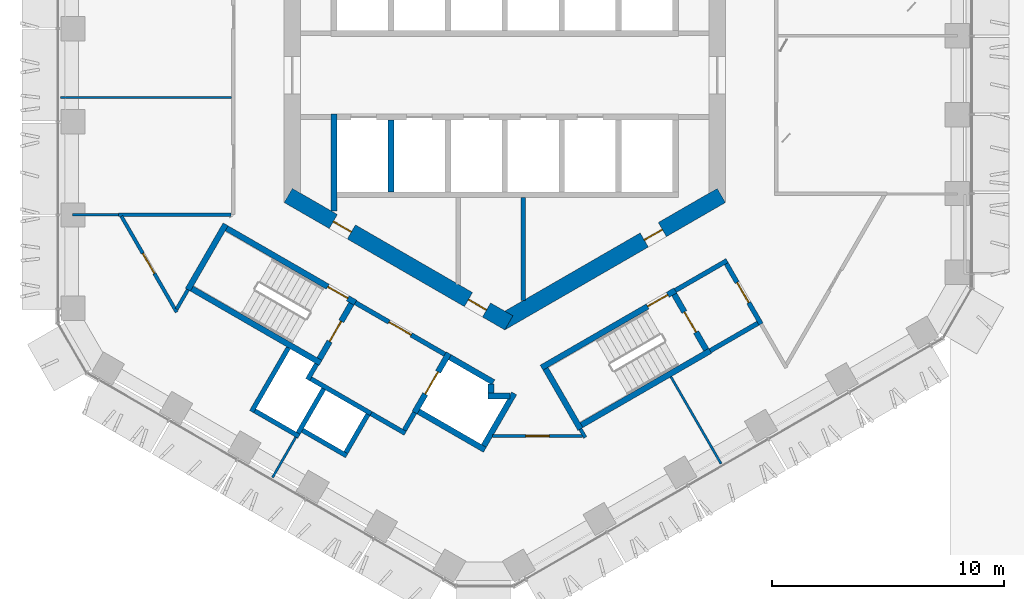
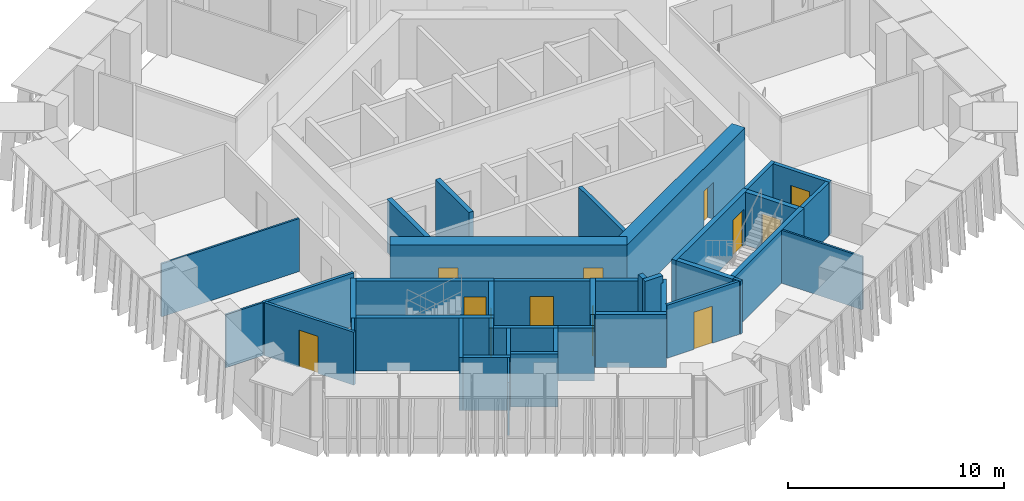
# One storey, part 14 of 25: 41 walls, 12 doors, 12 openings.
"""IFC4 building model written with IfcOpenShell, lengths in metres."""

import ifcopenshell
import ifcopenshell.guid

model = None  # the IFC model being written
_history = None  # IfcOwnerHistory: only IFC2X3 demands one
_inside = {}  # id of a spatial element -> (the spatial element, [elements in it])
_under = {}  # id of a project, library or spatial element -> (it, [spatial elements below it])
_declared = {}  # id of a project -> (the project, [libraries it declares])
_typed = {}  # id of a type object -> (the type object, [elements of that type])
_made_of = {}  # id of a material, layer set ... -> (it, [elements and type objects made of it])


def new_model(schema):
    """Start an empty IFC model of exactly this schema.

    Asked for "IFC4X3", IfcOpenShell would pick the latest addendum, in which some entities
    have other attributes; the version numbers below select the first issue.
    IFC2X3 requires an IfcOwnerHistory on every rooted entity: one is made here for all.
    """
    global model, _history
    if schema == "IFC4X3":
        model = ifcopenshell.file(schema_version=(4, 3, 0, 0))
    else:
        model = ifcopenshell.file(schema=schema)
    _inside.clear()
    _under.clear()
    _declared.clear()
    _typed.clear()
    _made_of.clear()
    _history = None
    if model.schema == "IFC2X3":
        org = make("IfcOrganization", Name="unknown")
        user = make(
            "IfcPersonAndOrganization",
            ThePerson=make("IfcPerson", FamilyName="unknown"),
            TheOrganization=org,
        )
        app = make(
            "IfcApplication",
            ApplicationDeveloper=org,
            Version="unknown",
            ApplicationFullName="unknown",
            ApplicationIdentifier="unknown",
        )
        _history = make(
            "IfcOwnerHistory",
            OwningUser=user,
            OwningApplication=app,
            ChangeAction="ADDED",
            CreationDate=0,
        )
    return model


def make(cls, **values):
    """One entity of the class cls with the attributes given. An attribute that is None is left unset."""
    return model.create_entity(
        cls, **{name: value for name, value in values.items() if value is not None}
    )


def rooted(cls, **values):
    """An entity with a GlobalId (a new one), such as an element, a storey or a relation."""
    return make(cls, GlobalId=ifcopenshell.guid.new(), OwnerHistory=_history, **values)


def si_unit(unit_type, name, prefix=None):
    """IfcSIUnit, for example si_unit("LENGTHUNIT", "METRE", prefix="MILLI")."""
    return make("IfcSIUnit", UnitType=unit_type, Prefix=prefix, Name=name)


def assignment(units):
    """IfcUnitAssignment: the units of a project."""
    return None if units is None else make("IfcUnitAssignment", Units=units)


def point(xyz):
    """IfcCartesianPoint."""
    return None if xyz is None else make("IfcCartesianPoint", Coordinates=xyz)


def direction(xyz):
    """IfcDirection."""
    return None if xyz is None else make("IfcDirection", DirectionRatios=xyz)


def frame(location, z_axis=None, x_axis=None):
    """IfcAxis2Placement3D, a coordinate frame: its origin and axes. An axis left out is left unset."""
    return make(
        "IfcAxis2Placement3D",
        Location=point(location),
        Axis=direction(z_axis),
        RefDirection=direction(x_axis),
    )


def frame_2d(location, x_axis=None):
    """IfcAxis2Placement2D, a coordinate frame in the plane: its origin and x axis."""
    return make(
        "IfcAxis2Placement2D", Location=point(location), RefDirection=direction(x_axis)
    )


def origin():
    """The frame at (0, 0, 0) with its axes left unset."""
    return frame((0.0, 0.0, 0.0))


def place(relative_to, where):
    """IfcLocalPlacement: puts the frame where relative to a parent placement (None: the world)."""
    return make(
        "IfcLocalPlacement", PlacementRelTo=relative_to, RelativePlacement=where
    )


def context(
    kind, dimensions, precision=None, world=None, true_north=None, identifier=None
):
    """IfcGeometricRepresentationContext, for example the 3D "Model" context."""
    return make(
        "IfcGeometricRepresentationContext",
        ContextIdentifier=identifier,
        ContextType=kind,
        CoordinateSpaceDimension=dimensions,
        Precision=precision,
        WorldCoordinateSystem=world,
        TrueNorth=true_north,
    )


def subcontext(parent, identifier, kind, view, scale=None):
    """IfcGeometricRepresentationSubContext, for example "Body" below "Model"."""
    return make(
        "IfcGeometricRepresentationSubContext",
        ContextIdentifier=identifier,
        ContextType=kind,
        ParentContext=parent,
        TargetScale=scale,
        TargetView=view,
    )


def project(units=None, contexts=None):
    """IfcProject with its units and contexts."""
    return rooted(
        "IfcProject",
        Name="project",
        RepresentationContexts=contexts,
        UnitsInContext=assignment(units),
    )


def spatial(cls, under=None, at=None, **own):
    """A site, building, storey or space (cls), placed at a placement, below another one or the project."""
    s = rooted(cls, ObjectPlacement=at, **own)
    if under is not None:
        _under.setdefault(under.id(), (under, []))[1].append(s)
    return s


def profile(cls, at=None, kind="AREA", **sizes):
    """A parametric profile (cls). Its sizes go by their IFC names, for example OverallWidth=200.0."""
    return make(cls, ProfileType=kind, Position=at, **sizes)


def rectangle(**sizes):
    """IfcRectangleProfileDef."""
    return profile("IfcRectangleProfileDef", **sizes)


def extrude(swept, where, along, depth):
    """IfcExtrudedAreaSolid: the profile swept, set in the frame where, extruded along a direction by depth."""
    return make(
        "IfcExtrudedAreaSolid",
        SweptArea=swept,
        Position=where,
        ExtrudedDirection=direction(along),
        Depth=depth,
    )


def shape(context_of_items, identifier, shape_type, items):
    """IfcShapeRepresentation: the items that make up one representation, for example the "Body"."""
    return make(
        "IfcShapeRepresentation",
        ContextOfItems=context_of_items,
        RepresentationIdentifier=identifier,
        RepresentationType=shape_type,
        Items=items,
    )


def material(Name=None, Category=None):
    """IfcMaterial."""
    return make("IfcMaterial", Name=Name, Category=Category)


def layer(
    of_material, thickness, ventilated=None, Name=None, Category=None, Priority=None
):
    """IfcMaterialLayer: one layer of a wall or slab, of a material (None: an air gap)."""
    return make(
        "IfcMaterialLayer",
        Material=of_material,
        LayerThickness=thickness,
        IsVentilated=ventilated,
        Name=Name,
        Category=Category,
        Priority=Priority,
    )


def layer_set(layers, Name=None):
    """IfcMaterialLayerSet."""
    return make("IfcMaterialLayerSet", MaterialLayers=layers, LayerSetName=Name)


def made_of(thing, what):
    """Note that an element or type object is made of a material, layer set ...; save() writes the relation."""
    if what is not None:
        _made_of.setdefault(what.id(), (what, []))[1].append(thing)
    return thing


def type_object(cls, material=None, **own):
    """A type object (cls), such as IfcWallType, which elements share."""
    return made_of(rooted(cls, **own), material)


def element(
    cls,
    number,
    at=None,
    inside=None,
    cuts=None,
    type_object=None,
    material=None,
    context=None,
    identifier="Body",
    shape_type=None,
    held_by="IfcProductDefinitionShape",
    body=None,
    shapes=None,
    **own,
):
    """One element of the class cls, such as IfcWall. Its Tag is "e" and its number.

    at: its placement. inside: the storey or other place that contains it. cuts: it is an
    opening in that element (IfcRelVoidsElement). A single representation is given by context,
    identifier, shape_type and body (its items); several are given by shapes. held_by: the class
    of the entity that holds the representations. save() writes the other relations.
    """
    e = rooted(cls, Tag="e%d" % number, ObjectPlacement=at, **own)
    if body is not None:
        shapes = [shape(context, identifier, shape_type, body)]
    if shapes is not None:
        e.Representation = make(held_by, Representations=shapes)
    if inside is not None:
        _inside.setdefault(inside.id(), (inside, []))[1].append(e)
    if cuts is not None:
        rooted(
            "IfcRelVoidsElement", RelatingBuildingElement=cuts, RelatedOpeningElement=e
        )
    if type_object is not None:
        _typed.setdefault(type_object.id(), (type_object, []))[1].append(e)
    return made_of(e, material)


def fill(opening, filler):
    """IfcRelFillsElement: the door or window that sits in an opening."""
    return rooted(
        "IfcRelFillsElement",
        RelatingOpeningElement=opening,
        RelatedBuildingElement=filler,
    )


def aggregate(whole, parts):
    """IfcRelAggregates: a whole, such as a stair, and the parts it consists of."""
    return rooted("IfcRelAggregates", RelatingObject=whole, RelatedObjects=parts)


def save(model, path):
    """Write the relations noted so far, then the file.

    IfcRelAggregates (storeys below a building ...), IfcRelContainedInSpatialStructure (elements
    in a storey), IfcRelDefinesByType, IfcRelAssociatesMaterial and IfcRelDeclares: one each for
    every whole, place, type object, material and project.
    """
    for whole, parts in _under.values():
        aggregate(whole, parts)
    for where, things in _inside.values():
        rooted(
            "IfcRelContainedInSpatialStructure",
            RelatedElements=things,
            RelatingStructure=where,
        )
    for kind, things in _typed.values():
        rooted("IfcRelDefinesByType", RelatedObjects=things, RelatingType=kind)
    for what, things in _made_of.values():
        rooted("IfcRelAssociatesMaterial", RelatedObjects=things, RelatingMaterial=what)
    for by, libraries in _declared.values():
        rooted("IfcRelDeclares", RelatingContext=by, RelatedDefinitions=libraries)
    model.write(path)


model = new_model("IFC4")

# Units and contexts
model_context = context("Model", 3, precision=1e-05, world=origin(), true_north=direction((0.0, 1.0)))
body_context = subcontext(model_context, "Body", "Model", "MODEL_VIEW")
ifc_project = project(units=[si_unit("LENGTHUNIT", "METRE"), si_unit("AREAUNIT", "SQUARE_METRE"), si_unit("VOLUMEUNIT", "CUBIC_METRE"), si_unit("PLANEANGLEUNIT", "RADIAN"), si_unit("MASSUNIT", "GRAM", prefix="KILO")], contexts=[model_context])

# Site, building, storey
site_placement = place(None, origin())
site = spatial("IfcSite", under=ifc_project, at=site_placement, CompositionType="ELEMENT")
building_placement = place(site_placement, origin())
building = spatial("IfcBuilding", under=site, at=building_placement, Name="Ayvan Gate Tower", CompositionType="ELEMENT")
storey_placement = place(building_placement, frame((0.0, 0.0, 132.5)))
storey = spatial("IfcBuildingStorey", under=building, at=storey_placement, Name="L35", CompositionType="ELEMENT", Elevation=132.5)

# Wall, openings, doors
ifc_material_1 = material(Name="Concrete C70/85", Category="concrete")
ifc_layer_1 = layer(ifc_material_1, 0.699951171875)
ifc_layer_set_1 = layer_set([ifc_layer_1], Name="Concrete C70/85")
wall_type_1 = type_object("IfcWallType", Name="Core wall 700 C70/85", PredefinedType="SHEAR", material=ifc_layer_set_1)
wall_1_placement = place(storey_placement, frame((-9.324951171875, -5.181640625, 0.0), z_axis=(0.0, 0.0, 1.0), x_axis=(0.866023993627, -0.500002442456, 0.0)))
wall_1 = element("IfcWall", 1, at=wall_1_placement, inside=storey, type_object=wall_type_1, Name="CORE-L35-4", PredefinedType="SHEAR", context=body_context, shape_type="SweptSolid", body=[
    extrude(rectangle(XDim=10.9697265625, YDim=0.699951171875, at=frame_2d((5.48486328125, 0.0))), origin(), (0.0, 0.0, 1.0), 3.39990234375),
])
opening_1_placement = place(wall_1_placement, frame((2.2392578125, 0.0, 0.0)))
opening_1 = element("IfcOpeningElement", 2, at=opening_1_placement, cuts=wall_1, Name="Opening L35-D33", PredefinedType="OPENING", context=body_context, shape_type="SweptSolid", body=[
    extrude(rectangle(XDim=0.89990234375, YDim=2.10009765625, at=frame_2d((0.449951171875, 1.050048828125))), frame((0.0, 0.35986328125, 0.0), z_axis=(0.0, -1.0, 0.0), x_axis=(1.0, 0.0, 0.0)), (0.0, 0.0, 1.0), 0.719970703125),
])
opening_2_placement = place(wall_1_placement, frame((8.960205078125, 0.0, 0.0)))
opening_2 = element("IfcOpeningElement", 3, at=opening_2_placement, cuts=wall_1, Name="Opening L35-D34", PredefinedType="OPENING", context=body_context, shape_type="SweptSolid", body=[
    extrude(rectangle(XDim=0.89990234375, YDim=2.10009765625, at=frame_2d((0.449951171875, 1.050048828125))), frame((0.0, 0.35986328125, 0.0), z_axis=(0.0, -1.0, 0.0), x_axis=(1.0, 0.0, 0.0)), (0.0, 0.0, 1.0), 0.719970703125),
])
ifc_material_2 = material(Name="Timber door leaf", Category="wood")
door_type_1 = type_object("IfcDoorType", Name="DT-900", OperationType="NOTDEFINED", PredefinedType="DOOR", material=ifc_material_2)
door_1_placement = place(opening_1_placement, origin())
door_1 = element("IfcDoor", 4, at=door_1_placement, inside=storey, type_object=door_type_1, Name="CD-L35-33", OperationType="SINGLE_SWING_RIGHT", OverallHeight=2.10009765625, OverallWidth=0.89990234375, PredefinedType="DOOR", context=body_context, shape_type="SweptSolid", body=[
    extrude(rectangle(XDim=0.89990234375, YDim=2.10009765625, at=frame_2d((0.449951171875, 1.050048828125))), frame((0.0, 0.02490234375, 0.0), z_axis=(0.0, -1.0, 0.0), x_axis=(1.0, 0.0, 0.0)), (0.0, 0.0, 1.0), 0.050048828125),
])
fill(opening_1, door_1)
door_2_placement = place(opening_2_placement, origin())
door_2 = element("IfcDoor", 5, at=door_2_placement, inside=storey, type_object=door_type_1, Name="CD-L35-34", OperationType="SINGLE_SWING_LEFT", OverallHeight=2.10009765625, OverallWidth=0.89990234375, PredefinedType="DOOR", context=body_context, shape_type="SweptSolid", body=[
    extrude(rectangle(XDim=0.89990234375, YDim=2.10009765625, at=frame_2d((0.449951171875, 1.050048828125))), frame((0.0, 0.02490234375, 0.0), z_axis=(0.0, -1.0, 0.0), x_axis=(1.0, 0.0, 0.0)), (0.0, 0.0, 1.0), 0.050048828125),
])
fill(opening_2, door_2)

# Wall, opening, door
wall_2_placement = place(storey_placement, frame((-0.175048828125, -10.66650390625, 0.0), z_axis=(0.0, 0.0, 1.0), x_axis=(0.866023993627, 0.500002442456, 0.0)))
wall_2 = element("IfcWall", 6, at=wall_2_placement, inside=storey, type_object=wall_type_1, Name="CORE-L35-5", PredefinedType="SHEAR", context=body_context, shape_type="SweptSolid", body=[
    extrude(rectangle(XDim=10.9697265625, YDim=0.699951171875, at=frame_2d((5.48486328125, 0.0))), origin(), (0.0, 0.0, 1.0), 3.39990234375),
])
opening_3_placement = place(wall_2_placement, frame((7.136962890625, 0.0, 0.0)))
opening_3 = element("IfcOpeningElement", 7, at=opening_3_placement, cuts=wall_2, Name="Opening L35-D35", PredefinedType="OPENING", context=body_context, shape_type="SweptSolid", body=[
    extrude(rectangle(XDim=0.89990234375, YDim=2.10009765625, at=frame_2d((0.449951171875, 1.050048828125))), frame((0.0, 0.35986328125, 0.0), z_axis=(0.0, -1.0, 0.0), x_axis=(1.0, 0.0, 0.0)), (0.0, 0.0, 1.0), 0.719970703125),
])
door_3_placement = place(opening_3_placement, origin())
door_3 = element("IfcDoor", 8, at=door_3_placement, inside=storey, type_object=door_type_1, Name="CD-L35-35", OperationType="SINGLE_SWING_RIGHT", OverallHeight=2.10009765625, OverallWidth=0.89990234375, PredefinedType="DOOR", context=body_context, shape_type="SweptSolid", body=[
    extrude(rectangle(XDim=0.89990234375, YDim=2.10009765625, at=frame_2d((0.449951171875, 1.050048828125))), frame((0.0, 0.02490234375, 0.0), z_axis=(0.0, -1.0, 0.0), x_axis=(1.0, 0.0, 0.0)), (0.0, 0.0, 1.0), 0.050048828125),
])
fill(opening_3, door_3)

# Wall
ifc_material_3 = material(Name="Plasterboard on steel stud", Category="steel")
ifc_layer_2 = layer(ifc_material_3, 0.14990234375)
ifc_layer_set_2 = layer_set([ifc_layer_2], Name="Plasterboard on steel stud")
wall_type_2 = type_object("IfcWallType", Name="WT-CORR-150", PredefinedType="PARTITIONING", material=ifc_layer_set_2)
wall_3_placement = place(storey_placement, frame((-16.625732421875, -6.009521484375, 0.0), z_axis=(0.0, 0.0, 1.0), x_axis=(1.0, 0.0, 0.0)))
element("IfcWall", 9, at=wall_3_placement, inside=storey, type_object=wall_type_2, Name="IW-L35-001", PredefinedType="PARTITIONING", context=body_context, shape_type="SweptSolid", body=[
    extrude(rectangle(XDim=4.84228515625, YDim=0.14990234375, at=frame_2d((2.421142578125, 0.0))), origin(), (0.0, 0.0, 1.0), 3.0),
])

# Wall, opening, door
wall_4_placement = place(storey_placement, frame((-14.129638671875, -10.202880859375, 0.0), z_axis=(0.0, 0.0, 1.0), x_axis=(-0.500000266875, 0.866025249704, 0.0)))
wall_4 = element("IfcWall", 10, at=wall_4_placement, inside=storey, type_object=wall_type_2, Name="IW-L35-005", PredefinedType="PARTITIONING", context=body_context, shape_type="SweptSolid", body=[
    extrude(rectangle(XDim=4.76708984375, YDim=0.14990234375, at=frame_2d((2.383544921875, 0.0))), origin(), (0.0, 0.0, 1.0), 3.0),
])
opening_4_placement = place(wall_4_placement, frame((1.921142578125, 0.0, 0.0)))
opening_4 = element("IfcOpeningElement", 11, at=opening_4_placement, cuts=wall_4, Name="Opening L35-D25", PredefinedType="OPENING", context=body_context, shape_type="SweptSolid", body=[
    extrude(rectangle(XDim=1.0, YDim=2.10009765625, at=frame_2d((0.5, 1.050048828125))), frame((0.0, 0.0849609375, 0.0), z_axis=(0.0, -1.0, 0.0), x_axis=(1.0, 0.0, 0.0)), (0.0, 0.0, 1.0), 0.169921875),
])
door_type_2 = type_object("IfcDoorType", Name="DT-1000", OperationType="NOTDEFINED", PredefinedType="DOOR", material=ifc_material_2)
door_4_placement = place(opening_4_placement, origin())
door_4 = element("IfcDoor", 12, at=door_4_placement, inside=storey, type_object=door_type_2, Name="ID-L35-025", OperationType="SINGLE_SWING_RIGHT", OverallHeight=2.10009765625, OverallWidth=1.0, PredefinedType="DOOR", context=body_context, shape_type="SweptSolid", body=[
    extrude(rectangle(XDim=1.0, YDim=2.10009765625, at=frame_2d((0.5, 1.050048828125))), frame((0.0, 0.02490234375, 0.0), z_axis=(0.0, -1.0, 0.0), x_axis=(1.0, 0.0, 0.0)), (0.0, 0.0, 1.0), 0.050048828125),
])
fill(opening_4, door_4)

# Walls
wall_5_placement = place(storey_placement, frame((-13.647705078125, -9.23876953125, 0.0), z_axis=(0.0, 0.0, 1.0), x_axis=(-0.500226934229, -0.865894343596, 0.0)))
element("IfcWall", 13, at=wall_5_placement, inside=storey, type_object=wall_type_2, Name="IW-L35-007", PredefinedType="PARTITIONING", context=body_context, shape_type="SweptSolid", body=[
    extrude(rectangle(XDim=0.96337890625, YDim=0.14990234375, at=frame_2d((0.481689453125, 0.0))), origin(), (0.0, 0.0, 1.0), 3.0),
])
wall_6_placement = place(storey_placement, frame((3.255615234375, -15.23876953125, 0.0), z_axis=(0.0, 0.0, 1.0), x_axis=(0.499822960955, -0.8661275932, 0.0)))
element("IfcWall", 14, at=wall_6_placement, inside=storey, type_object=wall_type_2, Name="IW-L35-065", PredefinedType="PARTITIONING", context=body_context, shape_type="SweptSolid", body=[
    extrude(rectangle(XDim=0.420654296875, YDim=0.14990234375, at=frame_2d((0.21044921875, 0.0))), origin(), (0.0, 0.0, 1.0), 3.0),
])

# Wall, opening, door
wall_7_placement = place(storey_placement, frame((3.353271484375, -15.5380859375, 0.0), z_axis=(0.0, 0.0, 1.0), x_axis=(-1.0, 0.0, 0.0)))
wall_7 = element("IfcWall", 15, at=wall_7_placement, inside=storey, type_object=wall_type_2, Name="IW-L35-067", PredefinedType="PARTITIONING", context=body_context, shape_type="SweptSolid", body=[
    extrude(rectangle(XDim=3.88525390625, YDim=0.14990234375, at=frame_2d((1.942626953125, 0.0))), origin(), (0.0, 0.0, 1.0), 3.0),
])
opening_5_placement = place(wall_7_placement, frame((1.442626953125, 0.0, 0.0)))
opening_5 = element("IfcOpeningElement", 16, at=opening_5_placement, cuts=wall_7, Name="Opening L35-D26", PredefinedType="OPENING", context=body_context, shape_type="SweptSolid", body=[
    extrude(rectangle(XDim=1.0, YDim=2.10009765625, at=frame_2d((0.5, 1.050048828125))), frame((0.0, 0.0849609375, 0.0), z_axis=(0.0, -1.0, 0.0), x_axis=(1.0, 0.0, 0.0)), (0.0, 0.0, 1.0), 0.169921875),
])
door_5_placement = place(opening_5_placement, origin())
door_5 = element("IfcDoor", 17, at=door_5_placement, inside=storey, type_object=door_type_2, Name="ID-L35-026", OperationType="SINGLE_SWING_LEFT", OverallHeight=2.10009765625, OverallWidth=1.0, PredefinedType="DOOR", context=body_context, shape_type="SweptSolid", body=[
    extrude(rectangle(XDim=1.0, YDim=2.10009765625, at=frame_2d((0.5, 1.050048828125))), frame((0.0, 0.02490234375, 0.0), z_axis=(0.0, -1.0, 0.0), x_axis=(1.0, 0.0, 0.0)), (0.0, 0.0, 1.0), 0.050048828125),
])
fill(opening_5, door_5)

# Walls
ifc_layer_3 = layer(ifc_material_3, 0.10009765625)
ifc_layer_set_3 = layer_set([ifc_layer_3], Name="Plasterboard on steel stud")
wall_type_3 = type_object("IfcWallType", Name="WT-PART-100", PredefinedType="PARTITIONING", material=ifc_layer_set_3)
wall_8_placement = place(storey_placement, frame((-16.625732421875, -6.009521484375, 0.0), z_axis=(0.0, 0.0, 1.0), x_axis=(-1.0, 0.0, 0.0)))
element("IfcWall", 18, at=wall_8_placement, inside=storey, type_object=wall_type_3, Name="IW-L35-000", PredefinedType="PARTITIONING", context=body_context, shape_type="SweptSolid", body=[
    extrude(rectangle(XDim=1.99755859375, YDim=0.10009765625, at=frame_2d((0.998779296875, 0.0))), origin(), (0.0, 0.0, 1.0), 3.0),
])
wall_9_placement = place(storey_placement, frame((-11.77490234375, -0.96142578125, 0.0), z_axis=(0.0, 0.0, 1.0), x_axis=(-1.0, 0.0, 0.0)))
element("IfcWall", 19, at=wall_9_placement, inside=storey, type_object=wall_type_3, Name="IW-L35-010", PredefinedType="PARTITIONING", context=body_context, shape_type="SweptSolid", body=[
    extrude(rectangle(XDim=7.369384765625, YDim=0.10009765625, at=frame_2d((3.6845703125, 0.0))), origin(), (0.0, 0.0, 1.0), 3.0),
])
wall_10_placement = place(storey_placement, frame((-9.0, -15.58837890625, 0.0), z_axis=(0.0, 0.0, 1.0), x_axis=(-0.500038395149, -0.8660032352, 0.0)))
element("IfcWall", 20, at=wall_10_placement, inside=storey, type_object=wall_type_3, Name="IW-L35-017", PredefinedType="PARTITIONING", context=body_context, shape_type="SweptSolid", body=[
    extrude(rectangle(XDim=2.006591796875, YDim=0.10009765625, at=frame_2d((1.00341796875, 0.0))), origin(), (0.0, 0.0, 1.0), 3.0),
])
wall_11_placement = place(storey_placement, frame((7.152587890625, -12.98876953125, 0.0), z_axis=(0.0, 0.0, 1.0), x_axis=(0.499993182398, -0.866029339893, 0.0)))
element("IfcWall", 21, at=wall_11_placement, inside=storey, type_object=wall_type_3, Name="IW-L35-074", PredefinedType="PARTITIONING", context=body_context, shape_type="SweptSolid", body=[
    extrude(rectangle(XDim=4.3193359375, YDim=0.10009765625, at=frame_2d((2.15966796875, 0.0))), origin(), (0.0, 0.0, 1.0), 3.0),
])
ifc_layer_4 = layer(ifc_material_3, 0.199951171875)
ifc_layer_set_4 = layer_set([ifc_layer_4], Name="Plasterboard on steel stud")
wall_type_4 = type_object("IfcWallType", Name="WT-PLUMB-200", PredefinedType="PLUMBINGWALL", material=ifc_layer_set_4)
wall_12_placement = place(storey_placement, frame((-10.9052734375, -14.488525390625, 0.0), z_axis=(0.0, 0.0, 1.0), x_axis=(0.499959856469, 0.866048579423, 0.0)))
element("IfcWall", 22, at=wall_12_placement, inside=storey, type_object=wall_type_4, Name="IW-L35-013", PredefinedType="PLUMBINGWALL", context=body_context, shape_type="SweptSolid", body=[
    extrude(rectangle(XDim=3.175048828125, YDim=0.199951171875, at=frame_2d((1.58740234375, 0.0))), origin(), (0.0, 0.0, 1.0), 3.0),
])
wall_13_placement = place(storey_placement, frame((-8.86328125, -15.552001953125, 0.0), z_axis=(0.0, 0.0, 1.0), x_axis=(-0.866035918664, 0.499981787252, 0.0)))
element("IfcWall", 23, at=wall_13_placement, inside=storey, type_object=wall_type_4, Name="IW-L35-016", PredefinedType="PLUMBINGWALL", context=body_context, shape_type="SweptSolid", body=[
    extrude(rectangle(XDim=2.2001953125, YDim=0.199951171875, at=frame_2d((1.10009765625, 0.0))), origin(), (0.0, 0.0, 1.0), 3.0),
])
wall_14_placement = place(storey_placement, frame((-8.89990234375, -15.415283203125, 0.0), z_axis=(0.0, 0.0, 1.0), x_axis=(0.499946605688, 0.86605622881, 0.0)))
element("IfcWall", 24, at=wall_14_placement, inside=storey, type_object=wall_type_4, Name="IW-L35-019", PredefinedType="PLUMBINGWALL", context=body_context, shape_type="SweptSolid", body=[
    extrude(rectangle(XDim=2.199951171875, YDim=0.199951171875, at=frame_2d((1.10009765625, 0.0))), origin(), (0.0, 0.0, 1.0), 3.0),
])
wall_15_placement = place(storey_placement, frame((-8.492919921875, -13.110107421875, 0.0), z_axis=(0.0, 0.0, 1.0), x_axis=(0.500067724834, 0.865986299303, 0.0)))
element("IfcWall", 25, at=wall_15_placement, inside=storey, type_object=wall_type_4, Name="IW-L35-020", PredefinedType="PLUMBINGWALL", context=body_context, shape_type="SweptSolid", body=[
    extrude(rectangle(XDim=0.775390625, YDim=0.199951171875, at=frame_2d((0.3876953125, 0.0))), origin(), (0.0, 0.0, 1.0), 3.0),
])
wall_16_placement = place(storey_placement, frame((-8.356201171875, -13.073486328125, 0.0), z_axis=(0.0, 0.0, 1.0), x_axis=(0.866031096941, -0.499990139034, 0.0)))
element("IfcWall", 26, at=wall_16_placement, inside=storey, type_object=wall_type_4, Name="IW-L35-021", PredefinedType="PLUMBINGWALL", context=body_context, shape_type="SweptSolid", body=[
    extrude(rectangle(XDim=3.0, YDim=0.199951171875, at=frame_2d((1.5, 0.0))), origin(), (0.0, 0.0, 1.0), 3.0),
])
wall_17_placement = place(storey_placement, frame((-6.80810546875, -16.39208984375, 0.0), z_axis=(0.0, 0.0, 1.0), x_axis=(-0.866008176907, 0.50002983664, 0.0)))
element("IfcWall", 27, at=wall_17_placement, inside=storey, type_object=wall_type_4, Name="IW-L35-027", PredefinedType="PLUMBINGWALL", context=body_context, shape_type="SweptSolid", body=[
    extrude(rectangle(XDim=2.199951171875, YDim=0.199951171875, at=frame_2d((1.10009765625, 0.0))), origin(), (0.0, 0.0, 1.0), 3.0),
])
wall_18_placement = place(storey_placement, frame((-5.894775390625, -14.610107421875, 0.0), z_axis=(0.0, 0.0, 1.0), x_axis=(-0.500022797313, -0.86601224135, 0.0)))
element("IfcWall", 28, at=wall_18_placement, inside=storey, type_object=wall_type_4, Name="IW-L35-030", PredefinedType="PLUMBINGWALL", context=body_context, shape_type="SweptSolid", body=[
    extrude(rectangle(XDim=1.89990234375, YDim=0.199951171875, at=frame_2d((0.949951171875, 0.0))), origin(), (0.0, 0.0, 1.0), 3.0),
])

# Wall, opening, door
ifc_layer_5 = layer(ifc_material_3, 0.199951171875)
ifc_layer_set_5 = layer_set([ifc_layer_5], Name="Plasterboard on steel stud")
wall_type_5 = type_object("IfcWallType", Name="WT-RATED-200", PredefinedType="PARTITIONING", material=ifc_layer_set_5)
wall_19_placement = place(storey_placement, frame((-6.4345703125, -9.794921875, 0.0), z_axis=(0.0, 0.0, 1.0), x_axis=(0.866012907634, -0.500021643343, 0.0)))
wall_19 = element("IfcWall", 29, at=wall_19_placement, inside=storey, type_object=wall_type_5, Name="IW-L35-029", PredefinedType="PARTITIONING", context=body_context, shape_type="SweptSolid", body=[
    extrude(rectangle(XDim=4.449951171875, YDim=0.199951171875, at=frame_2d((2.22509765625, 0.0))), origin(), (0.0, 0.0, 1.0), 3.0),
])
opening_6_placement = place(wall_19_placement, frame((1.675048828125, 0.0, 0.0)))
opening_6 = element("IfcOpeningElement", 30, at=opening_6_placement, cuts=wall_19, Name="Opening L35-D12", PredefinedType="OPENING", context=body_context, shape_type="SweptSolid", body=[
    extrude(rectangle(XDim=1.10009765625, YDim=2.10009765625, at=frame_2d((0.550048828125, 1.050048828125))), frame((0.0, 0.10986328125, 0.0), z_axis=(0.0, -1.0, 0.0), x_axis=(1.0, 0.0, 0.0)), (0.0, 0.0, 1.0), 0.219970703125),
])
door_type_3 = type_object("IfcDoorType", Name="DT-1100", OperationType="NOTDEFINED", PredefinedType="DOOR", material=ifc_material_2)
door_6_placement = place(opening_6_placement, origin())
door_6 = element("IfcDoor", 31, at=door_6_placement, inside=storey, type_object=door_type_3, Name="ID-L35-012", OperationType="SINGLE_SWING_LEFT", OverallHeight=2.10009765625, OverallWidth=1.10009765625, PredefinedType="DOOR", context=body_context, shape_type="SweptSolid", body=[
    extrude(rectangle(XDim=1.10009765625, YDim=2.10009765625, at=frame_2d((0.550048828125, 1.050048828125))), frame((0.0, 0.02490234375, 0.0), z_axis=(0.0, -1.0, 0.0), x_axis=(1.0, 0.0, 0.0)), (0.0, 0.0, 1.0), 0.050048828125),
])
fill(opening_6, door_6)

# Walls
wall_20_placement = place(storey_placement, frame((-4.285888671875, -15.42333984375, 0.0), z_axis=(0.0, 0.0, 1.0), x_axis=(-0.866025371046, 0.500000056704, 0.0)))
element("IfcWall", 32, at=wall_20_placement, inside=storey, type_object=wall_type_5, Name="IW-L35-036", PredefinedType="PARTITIONING", context=body_context, shape_type="SweptSolid", body=[
    extrude(rectangle(XDim=1.7001953125, YDim=0.199951171875, at=frame_2d((0.85009765625, 0.0))), origin(), (0.0, 0.0, 1.0), 3.0),
])
wall_21_placement = place(storey_placement, frame((-3.885009765625, -14.52880859375, 0.0), z_axis=(0.0, 0.0, 1.0), x_axis=(-0.499859285417, -0.866106630146, 0.0)))
element("IfcWall", 33, at=wall_21_placement, inside=storey, type_object=wall_type_5, Name="IW-L35-037", PredefinedType="PARTITIONING", context=body_context, shape_type="SweptSolid", body=[
    extrude(rectangle(XDim=0.875244140625, YDim=0.199951171875, at=frame_2d((0.4375, 0.0))), origin(), (0.0, 0.0, 1.0), 3.0),
])
wall_22_placement = place(storey_placement, frame((0.800048828125, -5.27490234375, 0.0), z_axis=(0.0, 0.0, 1.0), x_axis=(0.0, -1.0, 0.0)))
element("IfcWall", 34, at=wall_22_placement, inside=storey, type_object=wall_type_5, Name="IW-L35-056", PredefinedType="PARTITIONING", context=body_context, shape_type="SweptSolid", body=[
    extrude(rectangle(XDim=4.424560546875, YDim=0.199951171875, at=frame_2d((2.21240234375, 0.0))), origin(), (0.0, 0.0, 1.0), 3.0),
])
wall_23_placement = place(storey_placement, frame((7.343994140625, -9.27001953125, 0.0), z_axis=(0.0, 0.0, 1.0), x_axis=(0.866005588531, 0.500034319456, 0.0)))
element("IfcWall", 35, at=wall_23_placement, inside=storey, type_object=wall_type_5, Name="IW-L35-077", PredefinedType="PARTITIONING", context=body_context, shape_type="SweptSolid", body=[
    extrude(rectangle(XDim=2.574951171875, YDim=0.199951171875, at=frame_2d((1.28759765625, 0.0))), origin(), (0.0, 0.0, 1.0), 3.0),
])

# Wall, opening, door
wall_24_placement = place(storey_placement, frame((9.537353515625, -8.119140625, 0.0), z_axis=(0.0, 0.0, 1.0), x_axis=(0.499990139034, -0.866031096941, 0.0)))
wall_24 = element("IfcWall", 36, at=wall_24_placement, inside=storey, type_object=wall_type_5, Name="IW-L35-085", PredefinedType="PARTITIONING", context=body_context, shape_type="SweptSolid", body=[
    extrude(rectangle(XDim=3.0, YDim=0.199951171875, at=frame_2d((1.5, 0.0))), origin(), (0.0, 0.0, 1.0), 3.0),
])
opening_7_placement = place(wall_24_placement, frame((0.93505859375, 0.0, 0.0)))
opening_7 = element("IfcOpeningElement", 37, at=opening_7_placement, cuts=wall_24, Name="Opening L35-D15", PredefinedType="OPENING", context=body_context, shape_type="SweptSolid", body=[
    extrude(rectangle(XDim=1.0, YDim=2.10009765625, at=frame_2d((0.5, 1.050048828125))), frame((0.0, 0.10986328125, 0.0), z_axis=(0.0, -1.0, 0.0), x_axis=(1.0, 0.0, 0.0)), (0.0, 0.0, 1.0), 0.219970703125),
])
door_7_placement = place(opening_7_placement, origin())
door_7 = element("IfcDoor", 38, at=door_7_placement, inside=storey, type_object=door_type_2, Name="ID-L35-015", OperationType="SINGLE_SWING_RIGHT", OverallHeight=2.10009765625, OverallWidth=1.0, PredefinedType="DOOR", context=body_context, shape_type="SweptSolid", body=[
    extrude(rectangle(XDim=1.0, YDim=2.10009765625, at=frame_2d((0.5, 1.050048828125))), frame((0.0, 0.02490234375, 0.0), z_axis=(0.0, -1.0, 0.0), x_axis=(1.0, 0.0, 0.0)), (0.0, 0.0, 1.0), 0.050048828125),
])
fill(opening_7, door_7)

# Walls
wall_25_placement = place(storey_placement, frame((10.900634765625, -10.6806640625, 0.0), z_axis=(0.0, 0.0, 1.0), x_axis=(-0.866007538022, -0.500030943131, 0.0)))
element("IfcWall", 39, at=wall_25_placement, inside=storey, type_object=wall_type_5, Name="IW-L35-086", PredefinedType="PARTITIONING", context=body_context, shape_type="SweptSolid", body=[
    extrude(rectangle(XDim=2.374755859375, YDim=0.199951171875, at=frame_2d((1.1875, 0.0))), origin(), (0.0, 0.0, 1.0), 3.0),
])
ifc_material_4 = material(Name="Concrete C50/60", Category="concrete")
ifc_layer_6 = layer(ifc_material_4, 0.25)
ifc_layer_set_6 = layer_set([ifc_layer_6], Name="Concrete C50/60")
wall_type_6 = type_object("IfcWallType", Name="WT-RC-250", PredefinedType="SHEAR", material=ifc_layer_set_6)
wall_26_placement = place(storey_placement, frame((-13.64794921875, -9.23876953125, 0.0), z_axis=(0.0, 0.0, 1.0), x_axis=(0.500017246033, 0.866015446554, 0.0)))
element("IfcWall", 40, at=wall_26_placement, inside=storey, type_object=wall_type_6, Name="IW-L35-006", PredefinedType="SHEAR", context=body_context, shape_type="SweptSolid", body=[
    extrude(rectangle(XDim=3.25, YDim=0.25, at=frame_2d((1.625, 0.0))), origin(), (0.0, 0.0, 1.0), 3.0),
])

# Wall, opening, door
wall_27_placement = place(storey_placement, frame((-11.97705078125, -6.594970703125, 0.0), z_axis=(0.0, 0.0, 1.0), x_axis=(0.866025499775, -0.499999833739, 0.0)))
wall_27 = element("IfcWall", 41, at=wall_27_placement, inside=storey, type_object=wall_type_6, Name="IW-L35-009", PredefinedType="SHEAR", context=body_context, shape_type="SweptSolid", body=[
    extrude(rectangle(XDim=6.39990234375, YDim=0.25, at=frame_2d((3.199951171875, 0.0))), origin(), (0.0, 0.0, 1.0), 3.0),
])
opening_8_placement = place(wall_27_placement, frame((5.02490234375, 0.0, 0.0)))
opening_8 = element("IfcOpeningElement", 42, at=opening_8_placement, cuts=wall_27, Name="Opening L35-D10", PredefinedType="OPENING", context=body_context, shape_type="SweptSolid", body=[
    extrude(rectangle(XDim=1.0, YDim=2.10009765625, at=frame_2d((0.5, 1.050048828125))), frame((0.0, 0.135009765625, 0.0), z_axis=(0.0, -1.0, 0.0), x_axis=(1.0, 0.0, 0.0)), (0.0, 0.0, 1.0), 0.27001953125),
])
door_8_placement = place(opening_8_placement, origin())
door_8 = element("IfcDoor", 43, at=door_8_placement, inside=storey, type_object=door_type_2, Name="ID-L35-010", OperationType="SINGLE_SWING_LEFT", OverallHeight=2.10009765625, OverallWidth=1.0, PredefinedType="DOOR", context=body_context, shape_type="SweptSolid", body=[
    extrude(rectangle(XDim=1.0, YDim=2.10009765625, at=frame_2d((0.5, 1.050048828125))), frame((0.0, 0.02490234375, 0.0), z_axis=(0.0, -1.0, 0.0), x_axis=(1.0, 0.0, 0.0)), (0.0, 0.0, 1.0), 0.050048828125),
])
fill(opening_8, door_8)

# Walls
wall_28_placement = place(storey_placement, frame((-13.47705078125, -9.193115234375, 0.0), z_axis=(0.0, 0.0, 1.0), x_axis=(0.866025499775, -0.499999833739, 0.0)))
element("IfcWall", 44, at=wall_28_placement, inside=storey, type_object=wall_type_6, Name="IW-L35-015", PredefinedType="SHEAR", context=body_context, shape_type="SweptSolid", body=[
    extrude(rectangle(XDim=6.39990234375, YDim=0.25, at=frame_2d((3.199951171875, 0.0))), origin(), (0.0, 0.0, 1.0), 3.0),
])
wall_29_placement = place(storey_placement, frame((-7.35009765625, -5.845703125, 0.0), z_axis=(0.0, 0.0, 1.0), x_axis=(0.0, 1.0, 0.0)))
element("IfcWall", 45, at=wall_29_placement, inside=storey, type_object=wall_type_6, Name="IW-L35-023", PredefinedType="SHEAR", context=body_context, shape_type="SweptSolid", body=[
    extrude(rectangle(XDim=4.170654296875, YDim=0.25, at=frame_2d((2.08544921875, 0.0))), origin(), (0.0, 0.0, 1.0), 3.0),
])

# Wall, opening, door
wall_30_placement = place(storey_placement, frame((-6.605224609375, -9.8408203125, 0.0), z_axis=(0.0, 0.0, 1.0), x_axis=(-0.499996545922, -0.866027397988, 0.0)))
wall_30 = element("IfcWall", 46, at=wall_30_placement, inside=storey, type_object=wall_type_6, Name="IW-L35-028", PredefinedType="SHEAR", context=body_context, shape_type="SweptSolid", body=[
    extrude(rectangle(XDim=2.75, YDim=0.25, at=frame_2d((1.375, 0.0))), origin(), (0.0, 0.0, 1.0), 3.0),
])
opening_9_placement = place(wall_30_placement, frame((0.875, 0.0, 0.0)))
opening_9 = element("IfcOpeningElement", 47, at=opening_9_placement, cuts=wall_30, Name="Opening L35-D11", PredefinedType="OPENING", context=body_context, shape_type="SweptSolid", body=[
    extrude(rectangle(XDim=1.0, YDim=2.10009765625, at=frame_2d((0.5, 1.050048828125))), frame((0.0, 0.135009765625, 0.0), z_axis=(0.0, -1.0, 0.0), x_axis=(1.0, 0.0, 0.0)), (0.0, 0.0, 1.0), 0.27001953125),
])
door_9_placement = place(opening_9_placement, origin())
door_9 = element("IfcDoor", 48, at=door_9_placement, inside=storey, type_object=door_type_2, Name="ID-L35-011", OperationType="SINGLE_SWING_RIGHT", OverallHeight=2.10009765625, OverallWidth=1.0, PredefinedType="DOOR", context=body_context, shape_type="SweptSolid", body=[
    extrude(rectangle(XDim=1.0, YDim=2.10009765625, at=frame_2d((0.5, 1.050048828125))), frame((0.0, 0.02490234375, 0.0), z_axis=(0.0, -1.0, 0.0), x_axis=(1.0, 0.0, 0.0)), (0.0, 0.0, 1.0), 0.050048828125),
])
fill(opening_9, door_9)

# Wall
wall_31_placement = place(storey_placement, frame((-4.89990234375, -1.925048828125, 0.0), z_axis=(0.0, 0.0, 1.0), x_axis=(0.0, -1.0, 0.0)))
element("IfcWall", 49, at=wall_31_placement, inside=storey, type_object=wall_type_6, Name="IW-L35-032", PredefinedType="SHEAR", context=body_context, shape_type="SweptSolid", body=[
    extrude(rectangle(XDim=3.099853515625, YDim=0.25, at=frame_2d((1.5498046875, 0.0))), origin(), (0.0, 0.0, 1.0), 3.39990234375),
])

# Wall, opening, door
wall_32_placement = place(storey_placement, frame((-2.409912109375, -11.97412109375, 0.0), z_axis=(0.0, 0.0, 1.0), x_axis=(-0.500001826776, -0.866024349092, 0.0)))
wall_32 = element("IfcWall", 50, at=wall_32_placement, inside=storey, type_object=wall_type_6, Name="IW-L35-041", PredefinedType="SHEAR", context=body_context, shape_type="SweptSolid", body=[
    extrude(rectangle(XDim=2.9501953125, YDim=0.25, at=frame_2d((1.47509765625, 0.0))), origin(), (0.0, 0.0, 1.0), 3.0),
])
opening_10_placement = place(wall_32_placement, frame((0.925048828125, 0.0, 0.0)))
opening_10 = element("IfcOpeningElement", 51, at=opening_10_placement, cuts=wall_32, Name="Opening L35-LD-FF2", PredefinedType="OPENING", context=body_context, shape_type="SweptSolid", body=[
    extrude(rectangle(XDim=1.10009765625, YDim=2.10009765625, at=frame_2d((0.550048828125, 1.050048828125))), frame((0.0, 0.135009765625, 0.0), z_axis=(0.0, -1.0, 0.0), x_axis=(1.0, 0.0, 0.0)), (0.0, 0.0, 1.0), 0.27001953125),
])
ifc_material_5 = material(Name="Stainless steel landing door", Category="steel")
door_type_4 = type_object("IfcDoorType", Name="DT-LANDING-1100", OperationType="SLIDING_TO_LEFT", PredefinedType="DOOR", material=ifc_material_5)
door_10_placement = place(opening_10_placement, origin())
door_10 = element("IfcDoor", 52, at=door_10_placement, inside=storey, type_object=door_type_4, Name="ID-L35-013", OperationType="SLIDING_TO_LEFT", OverallHeight=2.10009765625, OverallWidth=1.10009765625, PredefinedType="DOOR", context=body_context, shape_type="SweptSolid", body=[
    extrude(rectangle(XDim=1.10009765625, YDim=2.10009765625, at=frame_2d((0.550048828125, 1.050048828125))), frame((0.0, 0.02490234375, 0.0), z_axis=(0.0, -1.0, 0.0), x_axis=(1.0, 0.0, 0.0)), (0.0, 0.0, 1.0), 0.050048828125),
])
fill(opening_10, door_10)

# Walls
wall_33_placement = place(storey_placement, frame((-2.3642578125, -12.14501953125, 0.0), z_axis=(0.0, 0.0, 1.0), x_axis=(0.86603892542, -0.499976579108, 0.0)))
element("IfcWall", 53, at=wall_33_placement, inside=storey, type_object=wall_type_6, Name="IW-L35-042", PredefinedType="SHEAR", context=body_context, shape_type="SweptSolid", body=[
    extrude(rectangle(XDim=2.162109375, YDim=0.25, at=frame_2d((1.0810546875, 0.0))), origin(), (0.0, 0.0, 1.0), 3.0),
])
wall_34_placement = place(storey_placement, frame((-0.8564453125, -16.13330078125, 0.0), z_axis=(0.0, 0.0, 1.0), x_axis=(-0.866021716278, 0.500006386895, 0.0)))
element("IfcWall", 54, at=wall_34_placement, inside=storey, type_object=wall_type_6, Name="IW-L35-047", PredefinedType="SHEAR", context=body_context, shape_type="SweptSolid", body=[
    extrude(rectangle(XDim=3.2998046875, YDim=0.25, at=frame_2d((1.64990234375, 0.0))), origin(), (0.0, 0.0, 1.0), 3.0),
])
wall_35_placement = place(storey_placement, frame((-0.902099609375, -15.96240234375, 0.0), z_axis=(0.0, 0.0, 1.0), x_axis=(0.499981517636, 0.866036074319, 0.0)))
element("IfcWall", 55, at=wall_35_placement, inside=storey, type_object=wall_type_6, Name="IW-L35-048", PredefinedType="SHEAR", context=body_context, shape_type="SweptSolid", body=[
    extrude(rectangle(XDim=2.6103515625, YDim=0.25, at=frame_2d((1.30517578125, 0.0))), origin(), (0.0, 0.0, 1.0), 3.0),
])
wall_36_placement = place(storey_placement, frame((-0.72509765625, -13.81005859375, 0.0), z_axis=(0.0, 0.0, 1.0), x_axis=(1.0, 0.0, 0.0)))
element("IfcWall", 56, at=wall_36_placement, inside=storey, type_object=wall_type_6, Name="IW-L35-049", PredefinedType="SHEAR", context=body_context, shape_type="SweptSolid", body=[
    extrude(rectangle(XDim=0.940673828125, YDim=0.25, at=frame_2d((0.47021484375, 0.0))), origin(), (0.0, 0.0, 1.0), 3.39990234375),
])
wall_37_placement = place(storey_placement, frame((-0.60009765625, -13.28857421875, 0.0), z_axis=(0.0, 0.0, 1.0), x_axis=(0.0, -1.0, 0.0)))
element("IfcWall", 57, at=wall_37_placement, inside=storey, type_object=wall_type_6, Name="IW-L35-050", PredefinedType="SHEAR", context=body_context, shape_type="SweptSolid", body=[
    extrude(rectangle(XDim=0.396484375, YDim=0.25, at=frame_2d((0.1982421875, 0.0))), origin(), (0.0, 0.0, 1.0), 3.39990234375),
])

# Wall, opening, door
wall_38_placement = place(storey_placement, frame((1.584716796875, -12.594970703125, 0.0), z_axis=(0.0, 0.0, 1.0), x_axis=(0.866036417653, 0.499980922934, 0.0)))
wall_38 = element("IfcWall", 58, at=wall_38_placement, inside=storey, type_object=wall_type_6, Name="IW-L35-060", PredefinedType="SHEAR", context=body_context, shape_type="SweptSolid", body=[
    extrude(rectangle(XDim=6.650146484375, YDim=0.25, at=frame_2d((3.3251953125, 0.0))), origin(), (0.0, 0.0, 1.0), 3.0),
])
opening_11_placement = place(wall_38_placement, frame((5.27490234375, 0.0, 0.0)))
opening_11 = element("IfcOpeningElement", 59, at=opening_11_placement, cuts=wall_38, Name="Opening L35-D14", PredefinedType="OPENING", context=body_context, shape_type="SweptSolid", body=[
    extrude(rectangle(XDim=1.0, YDim=2.10009765625, at=frame_2d((0.5, 1.050048828125))), frame((0.0, 0.135009765625, 0.0), z_axis=(0.0, -1.0, 0.0), x_axis=(1.0, 0.0, 0.0)), (0.0, 0.0, 1.0), 0.27001953125),
])
door_11_placement = place(opening_11_placement, origin())
door_11 = element("IfcDoor", 60, at=door_11_placement, inside=storey, type_object=door_type_2, Name="ID-L35-014", OperationType="SINGLE_SWING_LEFT", OverallHeight=2.10009765625, OverallWidth=1.0, PredefinedType="DOOR", context=body_context, shape_type="SweptSolid", body=[
    extrude(rectangle(XDim=1.0, YDim=2.10009765625, at=frame_2d((0.5, 1.050048828125))), frame((0.0, 0.02490234375, 0.0), z_axis=(0.0, -1.0, 0.0), x_axis=(1.0, 0.0, 0.0)), (0.0, 0.0, 1.0), 0.050048828125),
])
fill(opening_11, door_11)

# Walls
wall_39_placement = place(storey_placement, frame((3.255615234375, -15.23876953125, 0.0), z_axis=(0.0, 0.0, 1.0), x_axis=(-0.50002537861, 0.866010750942, 0.0)))
element("IfcWall", 61, at=wall_39_placement, inside=storey, type_object=wall_type_6, Name="IW-L35-066", PredefinedType="SHEAR", context=body_context, shape_type="SweptSolid", body=[
    extrude(rectangle(XDim=2.999755859375, YDim=0.25, at=frame_2d((1.5, 0.0))), origin(), (0.0, 0.0, 1.0), 3.0),
])
wall_40_placement = place(storey_placement, frame((3.30126953125, -15.068115234375, 0.0), z_axis=(0.0, 0.0, 1.0), x_axis=(0.866035036182, 0.499983315828, 0.0)))
element("IfcWall", 62, at=wall_40_placement, inside=storey, type_object=wall_type_6, Name="IW-L35-075", PredefinedType="SHEAR", context=body_context, shape_type="SweptSolid", body=[
    extrude(rectangle(XDim=6.400146484375, YDim=0.25, at=frame_2d((3.2001953125, 0.0))), origin(), (0.0, 0.0, 1.0), 3.0),
])

# Wall, opening, door
wall_41_placement = place(storey_placement, frame((7.298095703125, -9.44091796875, 0.0), z_axis=(0.0, 0.0, 1.0), x_axis=(0.500034990121, -0.866005201286, 0.0)))
wall_41 = element("IfcWall", 63, at=wall_41_placement, inside=storey, type_object=wall_type_6, Name="IW-L35-076", PredefinedType="SHEAR", context=body_context, shape_type="SweptSolid", body=[
    extrude(rectangle(XDim=2.749755859375, YDim=0.25, at=frame_2d((1.375, 0.0))), origin(), (0.0, 0.0, 1.0), 3.0),
])
opening_12_placement = place(wall_41_placement, frame((0.875, 0.0, 0.0)))
opening_12 = element("IfcOpeningElement", 64, at=opening_12_placement, cuts=wall_41, Name="Opening L35-D16", PredefinedType="OPENING", context=body_context, shape_type="SweptSolid", body=[
    extrude(rectangle(XDim=1.0, YDim=2.10009765625, at=frame_2d((0.5, 1.050048828125))), frame((0.0, 0.135009765625, 0.0), z_axis=(0.0, -1.0, 0.0), x_axis=(1.0, 0.0, 0.0)), (0.0, 0.0, 1.0), 0.27001953125),
])
door_12_placement = place(opening_12_placement, origin())
door_12 = element("IfcDoor", 65, at=door_12_placement, inside=storey, type_object=door_type_2, Name="ID-L35-016", OperationType="SINGLE_SWING_LEFT", OverallHeight=2.10009765625, OverallWidth=1.0, PredefinedType="DOOR", context=body_context, shape_type="SweptSolid", body=[
    extrude(rectangle(XDim=1.0, YDim=2.10009765625, at=frame_2d((0.5, 1.050048828125))), frame((0.0, 0.02490234375, 0.0), z_axis=(0.0, -1.0, 0.0), x_axis=(1.0, 0.0, 0.0)), (0.0, 0.0, 1.0), 0.050048828125),
])
fill(opening_12, door_12)

save(model, "model.ifc")
